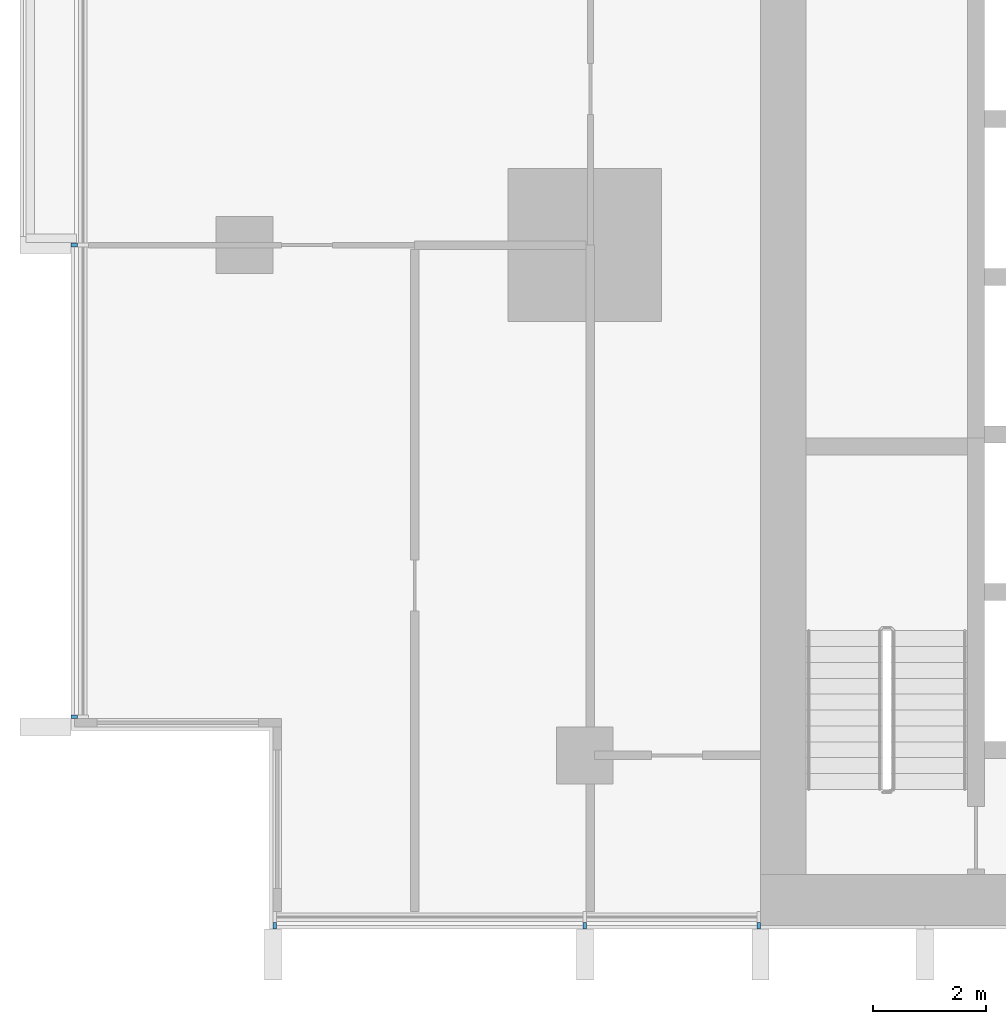
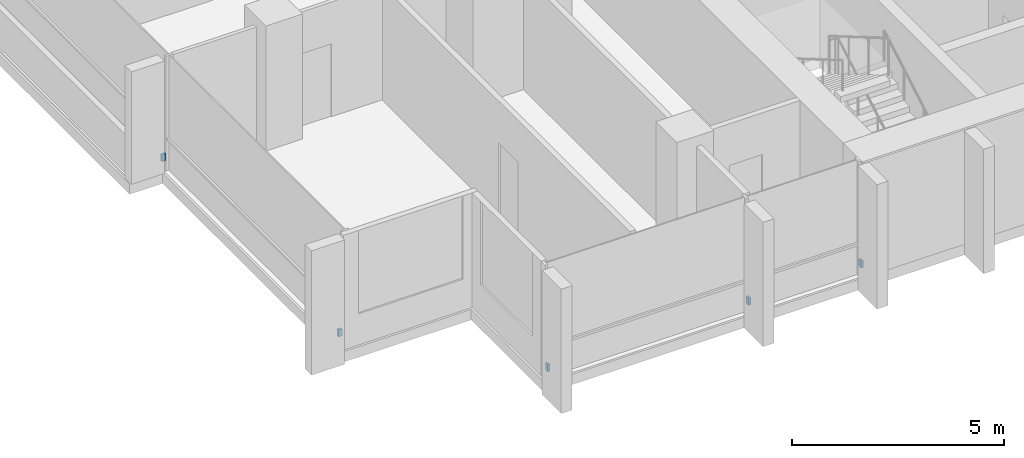
# One storey, part 13 of 17: 5 discrete accessories.
"""IFC4 building model written with IfcOpenShell, lengths in metres."""

from ifc_helpers import new_model, si_unit, direction, frame, origin, origin_2d, place, context, subcontext, project, spatial, rectangle, extrude, material, type_object, element, save


model = new_model("IFC4")

# Units and contexts
model_context = context("Model", 3, precision=1e-05, world=origin(), true_north=direction((0.0, 1.0)))
body_context = subcontext(model_context, "Body", "Model", "MODEL_VIEW")
ifc_project = project(units=[si_unit("LENGTHUNIT", "METRE"), si_unit("AREAUNIT", "SQUARE_METRE"), si_unit("VOLUMEUNIT", "CUBIC_METRE"), si_unit("PLANEANGLEUNIT", "RADIAN"), si_unit("MASSUNIT", "GRAM", prefix="KILO")], contexts=[model_context])

# Site, building, storey
site_placement = place(None, origin())
site = spatial("IfcSite", under=ifc_project, at=site_placement, CompositionType="ELEMENT")
building_placement = place(site_placement, origin())
building = spatial("IfcBuilding", under=site, at=building_placement, Name="Finial Court Residences", CompositionType="ELEMENT")
storey_placement = place(building_placement, frame((0.0, 0.0, 120.699951171875)))
storey = spatial("IfcBuildingStorey", under=building, at=storey_placement, Name="L30", CompositionType="ELEMENT", Elevation=120.699951171875)

# Discrete accessories
ifc_material = material(Name="Stainless steel 316", Category="steel")
discrete_accessory_type = type_object("IfcDiscreteAccessoryType", Name="Fin bracket, stainless steel 65 x 110 x 200", PredefinedType="BRACKET", material=ifc_material)
for number, where, z_axis, x_axis, name in (
    (1, (-21.967529296875, -25.5048828125, 0.30029296875), (0.0, 0.0, 1.0), (1.0, 0.0, 0.0), "E-L30-FIN-S16-BRK"),
    (2, (-16.5, -25.5048828125, 0.30029296875), (0.0, 0.0, 1.0), (1.0, 0.0, 0.0), "E-L30-FIN-S17-BRK"),
    (3, (-13.4326171875, -25.5048828125, 0.30029296875), (0.0, 0.0, 1.0), (1.0, 0.0, 0.0), "E-L30-FIN-S18-BRK"),
):
    element("IfcDiscreteAccessory", number, at=place(storey_placement, frame(where, z_axis=z_axis, x_axis=x_axis)), inside=storey, type_object=discrete_accessory_type, Name=name, PredefinedType="BRACKET", context=body_context, shape_type="SweptSolid", body=[
        extrude(rectangle(XDim=0.06494140625, YDim=0.110107421875, at=origin_2d()), origin(), (0.0, 0.0, 1.0), 0.199951171875),
    ])
for number, where, z_axis, x_axis, name in (
    (4, (-25.5048828125, -21.8173828125, 0.30029296875), (0.0, 0.0, 1.0), (1.0, 0.0, 0.0), "E-L30-FIN-W26-BRK"),
    (5, (-25.5048828125, -13.5, 0.30029296875), (0.0, 0.0, 1.0), (1.0, 0.0, 0.0), "E-L30-FIN-W27-BRK"),
):
    element("IfcDiscreteAccessory", number, at=place(storey_placement, frame(where, z_axis=z_axis, x_axis=x_axis)), inside=storey, type_object=discrete_accessory_type, Name=name, PredefinedType="BRACKET", context=body_context, shape_type="SweptSolid", body=[
        extrude(rectangle(XDim=0.110107421875, YDim=0.06494140625, at=origin_2d()), origin(), (0.0, 0.0, 1.0), 0.199951171875),
    ])

save(model, "model.ifc")
